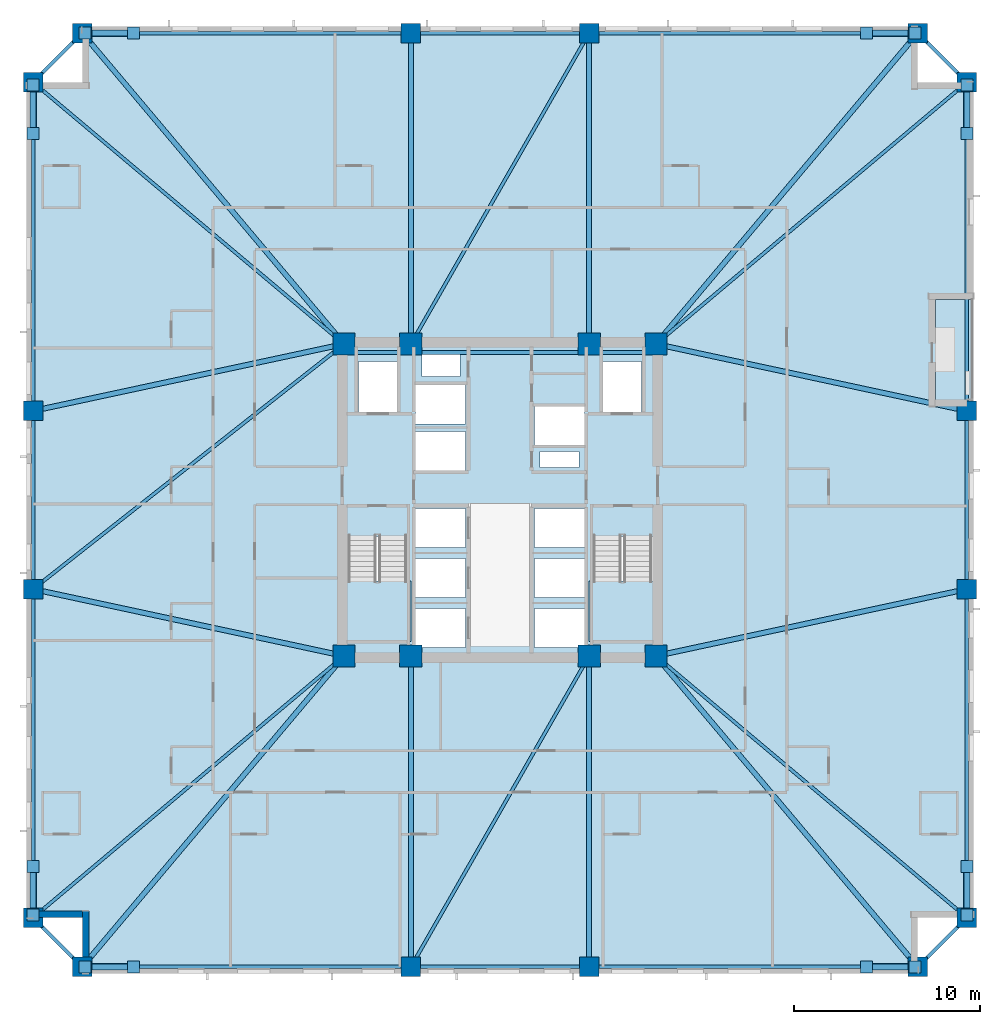
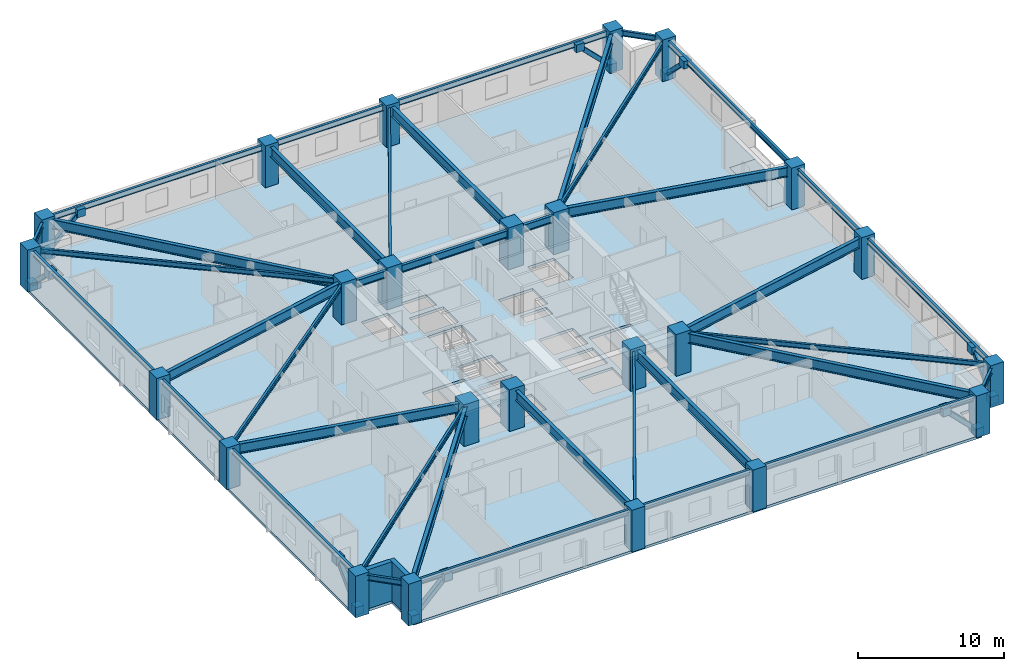
# One storey, part 1 of 11: 38 beams, 24 columns, 16 plates, 8 members, 4 slabs, 2 walls, 2 elements without a shape of their own.
"""IFC4 building model written with IfcOpenShell, lengths in metres."""

from ifc_helpers import new_model, si_unit, direction, frame, frame_2d, origin, origin_2d, place, context, subcontext, project, spatial, polyline, rectangle, hollow_rectangle, i_section, outline, extrude, material, layer, layer_set, material_profile, profile_set, type_object, element, aggregate, save


model = new_model("IFC4")

# Units and contexts
model_context = context("Model", 3, precision=1e-05, world=origin(), true_north=direction((0.0, 1.0)))
body_context = subcontext(model_context, "Body", "Model", "MODEL_VIEW")
ifc_project = project(units=[si_unit("LENGTHUNIT", "METRE"), si_unit("AREAUNIT", "SQUARE_METRE"), si_unit("VOLUMEUNIT", "CUBIC_METRE"), si_unit("PLANEANGLEUNIT", "RADIAN"), si_unit("MASSUNIT", "GRAM", prefix="KILO")], contexts=[model_context])

# Site, building, storey
site_placement = place(None, origin())
site = spatial("IfcSite", under=ifc_project, at=site_placement, CompositionType="ELEMENT")
building_placement = place(site_placement, origin())
building = spatial("IfcBuilding", under=site, at=building_placement, Name="Cairnveth Concourse Tower", CompositionType="ELEMENT")
storey_placement = place(building_placement, frame((0.0, 0.0, 76.0)))
storey = spatial("IfcBuildingStorey", under=building, at=storey_placement, Name="L20", CompositionType="ELEMENT", Elevation=76.0)

# Columns
ifc_material_1 = material(Name="Concrete N80 (80 MPa)", Category="concrete")
ifc_material_profile_1 = material_profile(ifc_material_1, rectangle(XDim=1.199951171875, YDim=1.199951171875, at=origin_2d()), Name="RC-COL-1200x1200")
ifc_profile_set_1 = profile_set([ifc_material_profile_1], Name="Concrete N80 (80 MPa)")
column_type_1 = type_object("IfcColumnType", Name="CORE COLUMN 1200X1200", PredefinedType="COLUMN", material=ifc_profile_set_1)
for number, where, z_axis, x_axis, name in (
    (1, (43.60009765625, 30.60009765625, 0.0), (0.0, 0.0, 1.0), (1.0, 0.0, 0.0), "Column CC1 L20"),
    (2, (47.199951171875, 30.60009765625, 0.0), (0.0, 0.0, 1.0), (1.0, 0.0, 0.0), "Column CC2 L20"),
    (3, (56.800048828125, 30.60009765625, 0.0), (0.0, 0.0, 1.0), (1.0, 0.0, 0.0), "Column CC3 L20"),
    (4, (60.39990234375, 30.60009765625, 0.0), (0.0, 0.0, 1.0), (1.0, 0.0, 0.0), "Column CC4 L20"),
    (5, (43.60009765625, 47.39990234375, 0.0), (0.0, 0.0, 1.0), (1.0, 0.0, 0.0), "Column CC5 L20"),
    (6, (47.199951171875, 47.39990234375, 0.0), (0.0, 0.0, 1.0), (1.0, 0.0, 0.0), "Column CC6 L20"),
    (7, (56.800048828125, 47.39990234375, 0.0), (0.0, 0.0, 1.0), (1.0, 0.0, 0.0), "Column CC7 L20"),
    (8, (60.39990234375, 47.39990234375, 0.0), (0.0, 0.0, 1.0), (1.0, 0.0, 0.0), "Column CC8 L20"),
):
    element("IfcColumn", number, at=place(storey_placement, frame(where, z_axis=z_axis, x_axis=x_axis)), inside=storey, type_object=column_type_1, Name=name, PredefinedType="COLUMN", context=body_context, shape_type="SweptSolid", body=[
        extrude(rectangle(XDim=1.199951171875, YDim=1.199951171875, at=origin_2d()), origin(), (0.0, 0.0, 1.0), 3.5),
    ])
ifc_material_2 = material(Name="Concrete N65 (65 MPa)", Category="concrete")
ifc_material_profile_2 = material_profile(ifc_material_2, rectangle(XDim=1.050048828125, YDim=1.050048828125, at=origin_2d()), Name="RC-COL-1050x1050")
ifc_profile_set_2 = profile_set([ifc_material_profile_2], Name="Concrete N65 (65 MPa)")
column_type_2 = type_object("IfcColumnType", Name="PERIMETER PIER COLUMN 1050X1050", PredefinedType="COLUMN", material=ifc_profile_set_2)
for number, where, z_axis, x_axis, name in (
    (9, (29.5, 13.85009765625, 0.0), (0.0, 0.0, 1.0), (1.0, 0.0, 0.0), "Column P-S1 L20"),
    (10, (47.199951171875, 13.85009765625, 0.0), (0.0, 0.0, 1.0), (1.0, 0.0, 0.0), "Column P-S2 L20"),
    (11, (56.800048828125, 13.85009765625, 0.0), (0.0, 0.0, 1.0), (1.0, 0.0, 0.0), "Column P-S3 L20"),
    (12, (74.5, 13.85009765625, 0.0), (0.0, 0.0, 1.0), (1.0, 0.0, 0.0), "Column P-S4 L20"),
    (13, (77.14990234375, 16.5, 0.0), (0.0, 0.0, 1.0), (0.0, 1.0, 0.0), "Column P-E1 L20"),
    (14, (77.14990234375, 34.199951171875, 0.0), (0.0, 0.0, 1.0), (0.0, 1.0, 0.0), "Column P-E2 L20"),
    (15, (77.14990234375, 43.800048828125, 0.0), (0.0, 0.0, 1.0), (0.0, 1.0, 0.0), "Column P-E3 L20"),
    (16, (77.14990234375, 61.5, 0.0), (0.0, 0.0, 1.0), (0.0, 1.0, 0.0), "Column P-E4 L20"),
    (17, (74.5, 64.14990234375, 0.0), (0.0, 0.0, 1.0), (1.0, 0.0, 0.0), "Column P-N1 L20"),
    (18, (56.800048828125, 64.14990234375, 0.0), (0.0, 0.0, 1.0), (1.0, 0.0, 0.0), "Column P-N2 L20"),
    (19, (47.199951171875, 64.14990234375, 0.0), (0.0, 0.0, 1.0), (1.0, 0.0, 0.0), "Column P-N3 L20"),
    (20, (29.5, 64.14990234375, 0.0), (0.0, 0.0, 1.0), (1.0, 0.0, 0.0), "Column P-N4 L20"),
    (21, (26.85009765625, 61.5, 0.0), (0.0, 0.0, 1.0), (0.0, 1.0, 0.0), "Column P-W1 L20"),
    (22, (26.85009765625, 43.800048828125, 0.0), (0.0, 0.0, 1.0), (0.0, 1.0, 0.0), "Column P-W2 L20"),
    (23, (26.85009765625, 34.199951171875, 0.0), (0.0, 0.0, 1.0), (0.0, 1.0, 0.0), "Column P-W3 L20"),
    (24, (26.85009765625, 16.5, 0.0), (0.0, 0.0, 1.0), (0.0, 1.0, 0.0), "Column P-W4 L20"),
):
    element("IfcColumn", number, at=place(storey_placement, frame(where, z_axis=z_axis, x_axis=x_axis)), inside=storey, type_object=column_type_2, Name=name, PredefinedType="COLUMN", context=body_context, shape_type="SweptSolid", body=[
        extrude(rectangle(XDim=1.050048828125, YDim=1.050048828125, at=origin_2d()), origin(), (0.0, 0.0, 1.0), 3.5),
    ])

# Beams
ifc_material_3 = material(Name="Steel Grade 350", Category="steel")
ifc_material_profile_3 = material_profile(ifc_material_3, i_section(OverallWidth=0.22802734375, OverallDepth=0.60693359375, WebThickness=0.01123046875, FlangeThickness=0.017333984375, FilletRadius=0.013916015625, at=origin_2d()), Name="610UB113")
ifc_profile_set_3 = profile_set([ifc_material_profile_3], Name="Steel Grade 350")
beam_type_1 = type_object("IfcBeamType", Name="CORE TIE BEAM 610UB113", PredefinedType="T_BEAM", material=ifc_profile_set_3)
for number, where, z_axis, x_axis, name in (
    (25, (43.60009765625, 46.949951171875, 2.9765625), (1.0, 0.0, 0.0), (0.0, 1.0, 0.0), "Beam CT-N1 L20"),
    (26, (56.800048828125, 46.949951171875, 2.9765625), (1.0, 0.0, 0.0), (0.0, 1.0, 0.0), "Beam CT-N3 L20"),
):
    element("IfcBeam", number, at=place(storey_placement, frame(where, z_axis=z_axis, x_axis=x_axis)), inside=storey, type_object=beam_type_1, Name=name, PredefinedType="T_BEAM", context=body_context, shape_type="SweptSolid", body=[
        extrude(i_section(OverallWidth=0.22802734375, OverallDepth=0.60693359375, WebThickness=0.01123046875, FlangeThickness=0.017333984375, FilletRadius=0.013916015625, at=origin_2d()), origin(), (0.0, 0.0, 1.0), 3.599853515625),
    ])
beam_1_placement = place(storey_placement, frame((47.199951171875, 46.949951171875, 2.9765625), z_axis=(1.0, 0.0, 0.0), x_axis=(0.0, 1.0, 0.0)))
element("IfcBeam", 27, at=beam_1_placement, inside=storey, type_object=beam_type_1, Name="Beam CT-N2 L20", PredefinedType="T_BEAM", context=body_context, shape_type="SweptSolid", body=[
    extrude(i_section(OverallWidth=0.22802734375, OverallDepth=0.60693359375, WebThickness=0.01123046875, FlangeThickness=0.017333984375, FilletRadius=0.013916015625, at=origin_2d()), origin(), (0.0, 0.0, 1.0), 9.60009765625),
])
ifc_material_profile_4 = material_profile(ifc_material_3, i_section(OverallWidth=0.177978515625, OverallDepth=0.406005859375, WebThickness=0.0078125, FlangeThickness=0.0126953125, FilletRadius=0.010986328125, at=origin_2d()), Name="410UB59.7")
ifc_profile_set_4 = profile_set([ifc_material_profile_4], Name="Steel Grade 350")
beam_type_2 = type_object("IfcBeamType", Name="ZONE 1 FLOOR JOIST 410UB59.7", PredefinedType="JOIST", material=ifc_profile_set_4)
for number, where, z_axis, x_axis, name in (
    (28, (26.85009765625, 16.5, 3.076904296875), (0.765027427674, 0.643997697905, 0.0), (-0.643997697905, 0.765027427674, 0.0), "Beam FJ-CSW2 L20"),
    (29, (77.14990234375, 16.5, 3.076904296875), (-0.765027427674, 0.643997697905, 0.0), (-0.643997697905, -0.765027427674, 0.0), "Beam FJ-CSE2 L20"),
    (30, (77.14990234375, 61.5, 3.076904296875), (-0.765027427674, -0.643997697905, 0.0), (0.643997697905, -0.765027427674, 0.0), "Beam FJ-CNE2 L20"),
    (31, (26.85009765625, 61.5, 3.076904296875), (0.765027427674, -0.643997697905, 0.0), (0.643997697905, 0.765027427674, 0.0), "Beam FJ-CNW2 L20"),
):
    element("IfcBeam", number, at=place(storey_placement, frame(where, z_axis=z_axis, x_axis=x_axis)), inside=storey, type_object=beam_type_2, Name=name, PredefinedType="JOIST", context=body_context, shape_type="SweptSolid", body=[
        extrude(i_section(OverallWidth=0.177978515625, OverallDepth=0.406005859375, WebThickness=0.0078125, FlangeThickness=0.0126953125, FilletRadius=0.010986328125, at=origin_2d()), origin(), (0.0, 0.0, 1.0), 21.89453125),
    ])
for number, where, z_axis, x_axis, name in (
    (32, (47.199951171875, 13.85009765625, 3.076904296875), (0.497257970706, 0.86760273776, 0.0), (-0.86760273776, 0.497257970706, 0.0), "Beam FJ-S-M1 L20"),
    (33, (47.199951171875, 47.39990234375, 3.076904296875), (0.497257970706, 0.86760273776, 0.0), (-0.86760273776, 0.497257970706, 0.0), "Beam FJ-N-M1 L20"),
):
    element("IfcBeam", number, at=place(storey_placement, frame(where, z_axis=z_axis, x_axis=x_axis)), inside=storey, type_object=beam_type_2, Name=name, PredefinedType="JOIST", context=body_context, shape_type="SweptSolid", body=[
        extrude(i_section(OverallWidth=0.177978515625, OverallDepth=0.406005859375, WebThickness=0.0078125, FlangeThickness=0.0126953125, FilletRadius=0.010986328125, at=origin_2d()), origin(), (0.0, 0.0, 1.0), 19.30615234375),
    ])
beam_2_placement = place(storey_placement, frame((26.85009765625, 34.199951171875, 3.076904296875), z_axis=(0.785423705995, 0.618958481694, 0.0), x_axis=(-0.618958481694, 0.785423705995, 0.0)))
element("IfcBeam", 34, at=beam_2_placement, inside=storey, type_object=beam_type_2, Name="Beam FJ-W-M1 L20", PredefinedType="JOIST", context=body_context, shape_type="SweptSolid", body=[
    extrude(i_section(OverallWidth=0.177978515625, OverallDepth=0.406005859375, WebThickness=0.0078125, FlangeThickness=0.0126953125, FilletRadius=0.010986328125, at=origin_2d()), origin(), (0.0, 0.0, 1.0), 21.326171875),
])

# Members
ifc_material_4 = material(Name="Steel C350L0 (350 MPa)", Category="steel")
ifc_material_profile_5 = material_profile(ifc_material_4, hollow_rectangle(XDim=0.35009765625, YDim=0.35009765625, WallThickness=0.01611328125, InnerFilletRadius=0.01611328125, OuterFilletRadius=0.031982421875, at=origin_2d()), Name="350x350x16.0SHS")
ifc_profile_set_5 = profile_set([ifc_material_profile_5], Name="Steel C350L0 (350 MPa)")
member_type = type_object("IfcMemberType", Name="ZONE 1 PIER BRACE 350X350X16SHS", PredefinedType="BRACE", material=ifc_profile_set_5)
for number, where, z_axis, x_axis, name in (
    (35, (29.64990234375, 13.85009765625, 0.25), (0.709834195787, 0.0, 0.704368805735), (0.0, 1.0, 0.0), "Structural Brace PB-S1 L20"),
    (36, (74.35009765625, 13.85009765625, 0.25), (-0.709834195787, 0.0, 0.704368805735), (0.0, -1.0, 0.0), "Structural Brace PB-S2 L20"),
    (37, (29.64990234375, 64.14990234375, 0.25), (0.709834195787, 0.0, 0.704368805735), (0.0, 1.0, 0.0), "Structural Brace PB-N1 L20"),
    (38, (74.35009765625, 64.14990234375, 0.25), (-0.709834195787, 0.0, 0.704368805735), (0.0, -1.0, 0.0), "Structural Brace PB-N2 L20"),
    (39, (26.85009765625, 16.64990234375, 0.25), (0.0, 0.709834195787, 0.704368805735), (-1.0, 0.0, 0.0), "Structural Brace PB-W1 L20"),
    (40, (26.85009765625, 61.35009765625, 0.25), (0.0, -0.709834195787, 0.704368805735), (1.0, 0.0, 0.0), "Structural Brace PB-W2 L20"),
    (41, (77.14990234375, 16.64990234375, 0.25), (0.0, 0.709834195787, 0.704368805735), (-1.0, 0.0, 0.0), "Structural Brace PB-E1 L20"),
    (42, (77.14990234375, 61.35009765625, 0.25), (0.0, -0.709834195787, 0.704368805735), (1.0, 0.0, 0.0), "Structural Brace PB-E2 L20"),
):
    element("IfcMember", number, at=place(storey_placement, frame(where, z_axis=z_axis, x_axis=x_axis)), inside=storey, type_object=member_type, Name=name, PredefinedType="BRACE", context=body_context, shape_type="SweptSolid", body=[
        extrude(hollow_rectangle(XDim=0.35009765625, YDim=0.35009765625, WallThickness=0.01611328125, InnerFilletRadius=0.01611328125, OuterFilletRadius=0.031982421875, at=origin_2d()), origin(), (0.0, 0.0, 1.0), 3.6630859375),
    ])

# Beams
ifc_material_profile_6 = material_profile(ifc_material_3, i_section(OverallWidth=0.27490234375, OverallDepth=0.81591796875, WebThickness=0.011962890625, FlangeThickness=0.028076171875, at=origin_2d()), Name="800WB192")
ifc_profile_set_6 = profile_set([ifc_material_profile_6], Name="Steel Grade 350")
beam_type_3 = type_object("IfcBeamType", Name="ZONE 1 RADIAL GIRDER 800WB192", PredefinedType="BEAM", material=ifc_profile_set_6)
for number, where, z_axis, x_axis, name in (
    (43, (47.199951171875, 13.85009765625, 2.8720703125), (0.0, 1.0, 0.0), (-1.0, 0.0, 0.0), "Beam RG-S1 L20"),
    (44, (56.800048828125, 13.85009765625, 2.8720703125), (0.0, 1.0, 0.0), (-1.0, 0.0, 0.0), "Beam RG-S2 L20"),
    (45, (47.199951171875, 47.39990234375, 2.8720703125), (0.0, 1.0, 0.0), (-1.0, 0.0, 0.0), "Beam RG-N1 L20"),
    (46, (56.800048828125, 47.39990234375, 2.8720703125), (0.0, 1.0, 0.0), (-1.0, 0.0, 0.0), "Beam RG-N2 L20"),
):
    element("IfcBeam", number, at=place(storey_placement, frame(where, z_axis=z_axis, x_axis=x_axis)), inside=storey, type_object=beam_type_3, Name=name, PredefinedType="BEAM", context=body_context, shape_type="SweptSolid", body=[
        extrude(i_section(OverallWidth=0.27490234375, OverallDepth=0.81591796875, WebThickness=0.011962890625, FlangeThickness=0.028076171875, at=origin_2d()), origin(), (0.0, 0.0, 1.0), 16.75),
    ])
for number, where, z_axis, x_axis, name in (
    (47, (26.85009765625, 34.199951171875, 2.8720703125), (0.977675861524, -0.210118799239, 0.0), (0.210118799239, 0.977675861524, 0.0), "Beam RG-W1 L20"),
    (48, (26.85009765625, 43.800048828125, 2.8720703125), (0.977675861524, 0.210118799239, 0.0), (-0.210118799239, 0.977675861524, 0.0), "Beam RG-W2 L20"),
    (49, (60.39990234375, 30.60009765625, 2.8720703125), (0.977675861524, 0.210118799239, 0.0), (-0.210118799239, 0.977675861524, 0.0), "Beam RG-E1 L20"),
    (50, (60.39990234375, 47.39990234375, 2.8720703125), (0.977675861524, -0.210118799239, 0.0), (0.210118799239, 0.977675861524, 0.0), "Beam RG-E2 L20"),
):
    element("IfcBeam", number, at=place(storey_placement, frame(where, z_axis=z_axis, x_axis=x_axis)), inside=storey, type_object=beam_type_3, Name=name, PredefinedType="BEAM", context=body_context, shape_type="SweptSolid", body=[
        extrude(i_section(OverallWidth=0.27490234375, OverallDepth=0.81591796875, WebThickness=0.011962890625, FlangeThickness=0.028076171875, at=origin_2d()), origin(), (0.0, 0.0, 1.0), 17.132568359375),
    ])
for number, where, z_axis, x_axis, name in (
    (51, (29.5, 13.85009765625, 2.8720703125), (0.643997697905, 0.765027427674, 0.0), (-0.765027427674, 0.643997697905, 0.0), "Beam RG-CSW L20"),
    (52, (74.5, 13.85009765625, 2.8720703125), (-0.643997697905, 0.765027427674, 0.0), (-0.765027427674, -0.643997697905, 0.0), "Beam RG-CSE L20"),
    (53, (74.5, 64.14990234375, 2.8720703125), (-0.643997697905, -0.765027427674, 0.0), (0.765027427674, -0.643997697905, 0.0), "Beam RG-CNE L20"),
    (54, (29.5, 64.14990234375, 2.8720703125), (0.643997697905, -0.765027427674, 0.0), (0.765027427674, 0.643997697905, 0.0), "Beam RG-CNW L20"),
):
    element("IfcBeam", number, at=place(storey_placement, frame(where, z_axis=z_axis, x_axis=x_axis)), inside=storey, type_object=beam_type_3, Name=name, PredefinedType="BEAM", context=body_context, shape_type="SweptSolid", body=[
        extrude(i_section(OverallWidth=0.27490234375, OverallDepth=0.81591796875, WebThickness=0.011962890625, FlangeThickness=0.028076171875, at=origin_2d()), origin(), (0.0, 0.0, 1.0), 21.89453125),
    ])
ifc_material_profile_7 = material_profile(ifc_material_3, i_section(OverallWidth=0.19091796875, OverallDepth=0.4599609375, WebThickness=0.010009765625, FlangeThickness=0.01611328125, FilletRadius=0.010986328125, at=origin_2d()), Name="460UB82.1")
ifc_profile_set_7 = profile_set([ifc_material_profile_7], Name="Steel Grade 350")
beam_type_4 = type_object("IfcBeamType", Name="ZONE 1 SPANDREL BEAM 460UB82.1", PredefinedType="SPANDREL", material=ifc_profile_set_7)
beam_3_placement = place(storey_placement, frame((29.5, 13.85009765625, 3.050048828125), z_axis=(1.0, 0.0, 0.0), x_axis=(0.0, 1.0, 0.0)))
element("IfcBeam", 55, at=beam_3_placement, inside=storey, type_object=beam_type_4, Name="Beam SP-S1 L20", PredefinedType="SPANDREL", context=body_context, shape_type="SweptSolid", body=[
    extrude(i_section(OverallWidth=0.19091796875, OverallDepth=0.4599609375, WebThickness=0.010009765625, FlangeThickness=0.01611328125, FilletRadius=0.010986328125, at=origin_2d()), origin(), (0.0, 0.0, 1.0), 17.699951171875),
])
beam_4_placement = place(storey_placement, frame((47.199951171875, 13.85009765625, 3.050048828125), z_axis=(1.0, 0.0, 0.0), x_axis=(0.0, 1.0, 0.0)))
element("IfcBeam", 56, at=beam_4_placement, inside=storey, type_object=beam_type_4, Name="Beam SP-S2 L20", PredefinedType="SPANDREL", context=body_context, shape_type="SweptSolid", body=[
    extrude(i_section(OverallWidth=0.19091796875, OverallDepth=0.4599609375, WebThickness=0.010009765625, FlangeThickness=0.01611328125, FilletRadius=0.010986328125, at=origin_2d()), origin(), (0.0, 0.0, 1.0), 9.60009765625),
])
for number, where, z_axis, x_axis, name in (
    (57, (56.800048828125, 13.85009765625, 3.050048828125), (1.0, 0.0, 0.0), (0.0, 1.0, 0.0), "Beam SP-S3 L20"),
    (58, (29.5, 64.14990234375, 3.050048828125), (1.0, 0.0, 0.0), (0.0, 1.0, 0.0), "Beam SP-N1 L20"),
):
    element("IfcBeam", number, at=place(storey_placement, frame(where, z_axis=z_axis, x_axis=x_axis)), inside=storey, type_object=beam_type_4, Name=name, PredefinedType="SPANDREL", context=body_context, shape_type="SweptSolid", body=[
        extrude(i_section(OverallWidth=0.19091796875, OverallDepth=0.4599609375, WebThickness=0.010009765625, FlangeThickness=0.01611328125, FilletRadius=0.010986328125, at=origin_2d()), origin(), (0.0, 0.0, 1.0), 17.699951171875),
    ])
beam_5_placement = place(storey_placement, frame((47.199951171875, 64.14990234375, 3.050048828125), z_axis=(1.0, 0.0, 0.0), x_axis=(0.0, 1.0, 0.0)))
element("IfcBeam", 59, at=beam_5_placement, inside=storey, type_object=beam_type_4, Name="Beam SP-N2 L20", PredefinedType="SPANDREL", context=body_context, shape_type="SweptSolid", body=[
    extrude(i_section(OverallWidth=0.19091796875, OverallDepth=0.4599609375, WebThickness=0.010009765625, FlangeThickness=0.01611328125, FilletRadius=0.010986328125, at=origin_2d()), origin(), (0.0, 0.0, 1.0), 9.60009765625),
])
for number, where, z_axis, x_axis, name in (
    (60, (56.800048828125, 64.14990234375, 3.050048828125), (1.0, 0.0, 0.0), (0.0, 1.0, 0.0), "Beam SP-N3 L20"),
    (61, (26.85009765625, 16.5, 3.050048828125), (0.0, 1.0, 0.0), (-1.0, 0.0, 0.0), "Beam SP-W1 L20"),
):
    element("IfcBeam", number, at=place(storey_placement, frame(where, z_axis=z_axis, x_axis=x_axis)), inside=storey, type_object=beam_type_4, Name=name, PredefinedType="SPANDREL", context=body_context, shape_type="SweptSolid", body=[
        extrude(i_section(OverallWidth=0.19091796875, OverallDepth=0.4599609375, WebThickness=0.010009765625, FlangeThickness=0.01611328125, FilletRadius=0.010986328125, at=origin_2d()), origin(), (0.0, 0.0, 1.0), 17.699951171875),
    ])
beam_6_placement = place(storey_placement, frame((26.85009765625, 34.199951171875, 3.050048828125), z_axis=(0.0, 1.0, 0.0), x_axis=(-1.0, 0.0, 0.0)))
element("IfcBeam", 62, at=beam_6_placement, inside=storey, type_object=beam_type_4, Name="Beam SP-W2 L20", PredefinedType="SPANDREL", context=body_context, shape_type="SweptSolid", body=[
    extrude(i_section(OverallWidth=0.19091796875, OverallDepth=0.4599609375, WebThickness=0.010009765625, FlangeThickness=0.01611328125, FilletRadius=0.010986328125, at=origin_2d()), origin(), (0.0, 0.0, 1.0), 9.60009765625),
])
for number, where, z_axis, x_axis, name in (
    (63, (26.85009765625, 43.800048828125, 3.050048828125), (0.0, 1.0, 0.0), (-1.0, 0.0, 0.0), "Beam SP-W3 L20"),
    (64, (77.14990234375, 16.5, 3.050048828125), (0.0, 1.0, 0.0), (-1.0, 0.0, 0.0), "Beam SP-E1 L20"),
):
    element("IfcBeam", number, at=place(storey_placement, frame(where, z_axis=z_axis, x_axis=x_axis)), inside=storey, type_object=beam_type_4, Name=name, PredefinedType="SPANDREL", context=body_context, shape_type="SweptSolid", body=[
        extrude(i_section(OverallWidth=0.19091796875, OverallDepth=0.4599609375, WebThickness=0.010009765625, FlangeThickness=0.01611328125, FilletRadius=0.010986328125, at=origin_2d()), origin(), (0.0, 0.0, 1.0), 17.699951171875),
    ])
beam_7_placement = place(storey_placement, frame((77.14990234375, 34.199951171875, 3.050048828125), z_axis=(0.0, 1.0, 0.0), x_axis=(-1.0, 0.0, 0.0)))
element("IfcBeam", 65, at=beam_7_placement, inside=storey, type_object=beam_type_4, Name="Beam SP-E2 L20", PredefinedType="SPANDREL", context=body_context, shape_type="SweptSolid", body=[
    extrude(i_section(OverallWidth=0.19091796875, OverallDepth=0.4599609375, WebThickness=0.010009765625, FlangeThickness=0.01611328125, FilletRadius=0.010986328125, at=origin_2d()), origin(), (0.0, 0.0, 1.0), 9.60009765625),
])
beam_8_placement = place(storey_placement, frame((77.14990234375, 43.800048828125, 3.050048828125), z_axis=(0.0, 1.0, 0.0), x_axis=(-1.0, 0.0, 0.0)))
element("IfcBeam", 66, at=beam_8_placement, inside=storey, type_object=beam_type_4, Name="Beam SP-E3 L20", PredefinedType="SPANDREL", context=body_context, shape_type="SweptSolid", body=[
    extrude(i_section(OverallWidth=0.19091796875, OverallDepth=0.4599609375, WebThickness=0.010009765625, FlangeThickness=0.01611328125, FilletRadius=0.010986328125, at=origin_2d()), origin(), (0.0, 0.0, 1.0), 17.699951171875),
])
for number, where, z_axis, x_axis, name in (
    (67, (26.85009765625, 16.5, 3.050048828125), (0.707106781187, -0.707106781187, 0.0), (0.707106781187, 0.707106781187, 0.0), "Beam SP-SW L20"),
    (68, (74.5, 13.85009765625, 3.050048828125), (0.707106781187, 0.707106781187, 0.0), (-0.707106781187, 0.707106781187, 0.0), "Beam SP-SE L20"),
    (69, (74.5, 64.14990234375, 3.050048828125), (0.707106781187, -0.707106781187, 0.0), (0.707106781187, 0.707106781187, 0.0), "Beam SP-NE L20"),
    (70, (26.85009765625, 61.5, 3.050048828125), (0.707106781187, 0.707106781187, 0.0), (-0.707106781187, 0.707106781187, 0.0), "Beam SP-NW L20"),
):
    element("IfcBeam", number, at=place(storey_placement, frame(where, z_axis=z_axis, x_axis=x_axis)), inside=storey, type_object=beam_type_4, Name=name, PredefinedType="SPANDREL", context=body_context, shape_type="SweptSolid", body=[
        extrude(i_section(OverallWidth=0.19091796875, OverallDepth=0.4599609375, WebThickness=0.010009765625, FlangeThickness=0.01611328125, FilletRadius=0.010986328125, at=origin_2d()), origin(), (0.0, 0.0, 1.0), 3.74755859375),
    ])

# Slab
ifc_material_5 = material(Name="Concrete N50 (50 MPa)", Category="concrete")
ifc_layer_1 = layer(ifc_material_5, 0.219970703125)
ifc_layer_set_1 = layer_set([ifc_layer_1], Name="Concrete N50 (50 MPa)")
slab_type_1 = type_object("IfcSlabType", Name="LOWER TOWER COMPOSITE SLAB 220", PredefinedType="FLOOR", material=ifc_layer_set_1)
slab_1_placement = place(storey_placement, frame((0.0, 0.0, -0.219970703125)))
element("IfcSlab", 71, at=slab_1_placement, inside=storey, type_object=slab_type_1, Name="Tower Floor Slab L20", PredefinedType="FLOOR", context=body_context, shape_type="SweptSolid", body=[
    extrude(outline(polyline([(77.5, 44.39990234375), (75.449951171875, 44.39990234375), (75.449951171875, 49.800048828125), (77.5, 49.800048828125), (77.5, 61.5), (74.5, 61.5), (74.5, 64.5), (29.5, 64.5), (29.5, 61.5), (26.5, 61.5), (26.5, 16.5), (29.5, 16.5), (29.5, 13.5), (74.5, 13.5), (74.5, 16.5), (77.5, 16.5), (77.5, 44.39990234375)]), holes=[polyline([(43.760009765625, 31.360107421875), (47.06005859375, 31.360107421875), (47.06005859375, 37.0400390625), (43.760009765625, 37.0400390625), (43.760009765625, 31.360107421875)]), polyline([(56.93994140625, 31.360107421875), (60.239990234375, 31.360107421875), (60.239990234375, 37.0400390625), (56.93994140625, 37.0400390625), (56.93994140625, 31.360107421875)]), polyline([(44.3701171875, 43.75), (46.469970703125, 43.75), (46.469970703125, 46.449951171875), (44.3701171875, 46.449951171875), (44.3701171875, 43.75)]), polyline([(57.530029296875, 43.75), (59.6298828125, 43.75), (59.6298828125, 46.449951171875), (57.530029296875, 46.449951171875), (57.530029296875, 43.75)]), polyline([(47.449951171875, 31.050048828125), (50.14990234375, 31.050048828125), (50.14990234375, 33.14990234375), (47.449951171875, 33.14990234375), (47.449951171875, 31.050048828125)]), polyline([(47.449951171875, 33.75), (50.14990234375, 33.75), (50.14990234375, 35.85009765625), (47.449951171875, 35.85009765625), (47.449951171875, 33.75)]), polyline([(47.449951171875, 36.449951171875), (50.14990234375, 36.449951171875), (50.14990234375, 38.550048828125), (47.449951171875, 38.550048828125), (47.449951171875, 36.449951171875)]), polyline([(53.85009765625, 31.050048828125), (56.550048828125, 31.050048828125), (56.550048828125, 33.14990234375), (53.85009765625, 33.14990234375), (53.85009765625, 31.050048828125)]), polyline([(53.85009765625, 33.75), (56.550048828125, 33.75), (56.550048828125, 35.85009765625), (53.85009765625, 35.85009765625), (53.85009765625, 33.75)]), polyline([(53.85009765625, 36.449951171875), (56.550048828125, 36.449951171875), (56.550048828125, 38.550048828125), (53.85009765625, 38.550048828125), (53.85009765625, 36.449951171875)]), polyline([(47.449951171875, 40.60009765625), (50.14990234375, 40.60009765625), (50.14990234375, 42.699951171875), (47.449951171875, 42.699951171875), (47.449951171875, 40.60009765625)]), polyline([(47.449951171875, 43.10009765625), (50.14990234375, 43.10009765625), (50.14990234375, 45.199951171875), (47.449951171875, 45.199951171875), (47.449951171875, 43.10009765625)]), polyline([(53.85009765625, 41.949951171875), (56.550048828125, 41.949951171875), (56.550048828125, 44.050048828125), (53.85009765625, 44.050048828125), (53.85009765625, 41.949951171875)]), polyline([(47.800048828125, 45.64990234375), (49.85009765625, 45.64990234375), (49.85009765625, 47.050048828125), (47.800048828125, 47.050048828125), (47.800048828125, 45.64990234375)]), polyline([(54.14990234375, 40.75), (56.25, 40.75), (56.25, 41.6201171875), (54.14990234375, 41.6201171875), (54.14990234375, 40.75)])]), origin(), (0.0, 0.0, 1.0), 0.219970703125),
])

# Plates
ifc_layer_2 = layer(ifc_material_3, 0.031982421875)
ifc_layer_set_2 = layer_set([ifc_layer_2], Name="Steel Grade 350")
plate_type = type_object("IfcPlateType", Name="PERIMETER BRACE GUSSET PLATE 32", PredefinedType="USERDEFINED", material=ifc_layer_set_2)
for number, where, z_axis, x_axis, name in (
    (72, (29.64990234375, 13.85009765625, -0.06982421875), (0.0, 0.0, 1.0), (1.0, 0.0, 0.0), "Structural Node Plate 0301 L20"),
    (73, (32.25, 13.85009765625, 2.51025390625), (0.0, 0.0, 1.0), (1.0, 0.0, 0.0), "Structural Node Plate 0302 L20"),
    (74, (74.35009765625, 13.85009765625, -0.06982421875), (0.0, 0.0, 1.0), (1.0, 0.0, 0.0), "Structural Node Plate 0303 L20"),
    (75, (71.75, 13.85009765625, 2.51025390625), (0.0, 0.0, 1.0), (1.0, 0.0, 0.0), "Structural Node Plate 0304 L20"),
    (76, (29.64990234375, 64.14990234375, -0.06982421875), (0.0, 0.0, 1.0), (1.0, 0.0, 0.0), "Structural Node Plate 0305 L20"),
    (77, (32.25, 64.14990234375, 2.51025390625), (0.0, 0.0, 1.0), (1.0, 0.0, 0.0), "Structural Node Plate 0306 L20"),
    (78, (74.35009765625, 64.14990234375, -0.06982421875), (0.0, 0.0, 1.0), (1.0, 0.0, 0.0), "Structural Node Plate 0307 L20"),
    (79, (71.75, 64.14990234375, 2.51025390625), (0.0, 0.0, 1.0), (1.0, 0.0, 0.0), "Structural Node Plate 0308 L20"),
    (80, (26.85009765625, 16.64990234375, -0.06982421875), (0.0, 0.0, 1.0), (1.0, 0.0, 0.0), "Structural Node Plate 0309 L20"),
    (81, (26.85009765625, 19.25, 2.51025390625), (0.0, 0.0, 1.0), (1.0, 0.0, 0.0), "Structural Node Plate 0310 L20"),
    (82, (26.85009765625, 61.35009765625, -0.06982421875), (0.0, 0.0, 1.0), (1.0, 0.0, 0.0), "Structural Node Plate 0311 L20"),
    (83, (26.85009765625, 58.75, 2.51025390625), (0.0, 0.0, 1.0), (1.0, 0.0, 0.0), "Structural Node Plate 0312 L20"),
    (84, (77.14990234375, 16.64990234375, -0.06982421875), (0.0, 0.0, 1.0), (1.0, 0.0, 0.0), "Structural Node Plate 0313 L20"),
    (85, (77.14990234375, 19.25, 2.51025390625), (0.0, 0.0, 1.0), (1.0, 0.0, 0.0), "Structural Node Plate 0314 L20"),
    (86, (77.14990234375, 61.35009765625, -0.06982421875), (0.0, 0.0, 1.0), (1.0, 0.0, 0.0), "Structural Node Plate 0315 L20"),
    (87, (77.14990234375, 58.75, 2.51025390625), (0.0, 0.0, 1.0), (1.0, 0.0, 0.0), "Structural Node Plate 0316 L20"),
):
    element("IfcPlate", number, at=place(storey_placement, frame(where, z_axis=z_axis, x_axis=x_axis)), inside=storey, type_object=plate_type, Name=name, ObjectType="GUSSET PLATE", PredefinedType="USERDEFINED", context=body_context, shape_type="SweptSolid", body=[
        extrude(rectangle(XDim=0.639892578125, YDim=0.639892578125, at=origin_2d()), origin(), (0.0, 0.0, 1.0), 0.639892578125),
    ])

# Slab
ifc_layer_3 = layer(ifc_material_5, 0.18994140625)
ifc_layer_set_3 = layer_set([ifc_layer_3], Name="Concrete N50 (50 MPa)")
slab_type_2 = type_object("IfcSlabType", Name="SPIRAL OUTDOOR TERRACE SLAB 190", PredefinedType="FLOOR", material=ifc_layer_set_3)
slab_2_placement = place(storey_placement, frame((0.0, 0.0, -0.18994140625)))
element("IfcSlab", 88, at=slab_2_placement, inside=storey, type_object=slab_type_2, Name="Spiral Terrace Slab L20", PredefinedType="FLOOR", context=body_context, shape_type="SweptSolid", body=[
    extrude(outline(polyline([(75.449951171875, 44.39990234375), (77.5, 44.39990234375), (77.5, 49.800048828125), (75.449951171875, 49.800048828125), (75.449951171875, 44.39990234375)])), origin(), (0.0, 0.0, 1.0), 0.18994140625),
])

# Stair, slab
ifc_material_6 = material(Name="Precast concrete N50 (50 MPa)", Category="concrete")
stair_type = type_object("IfcStairType", Name="CORE DOG-LEG FIRE STAIR 1500", PredefinedType="HALF_TURN_STAIR", material=ifc_material_6)
stair_1_placement = place(storey_placement, origin())
stair_1 = element("IfcStair", 89, at=stair_1_placement, inside=storey, type_object=stair_type, Name="L20 Fire-Isolated Stair ST-1", PredefinedType="HALF_TURN_STAIR")
ifc_layer_4 = layer(ifc_material_5, 0.199951171875)
ifc_layer_set_4 = layer_set([ifc_layer_4], Name="Concrete N50 (50 MPa)")
slab_type_3 = type_object("IfcSlabType", Name="STAIR HALF LANDING SLAB 200", PredefinedType="LANDING", material=ifc_layer_set_4)
slab_3_placement = place(storey_placement, frame((0.0, 0.0, 1.550048828125)))
slab_3 = element("IfcSlab", 90, at=slab_3_placement, type_object=slab_type_3, Name="ST-1 landing 1", PredefinedType="LANDING", context=body_context, shape_type="SweptSolid", body=[
    extrude(outline(polyline([(43.6201171875, 34.639892578125), (43.6201171875, 31.3701171875), (47.199951171875, 31.3701171875), (47.199951171875, 34.639892578125), (43.6201171875, 34.639892578125)])), origin(), (0.0, 0.0, 1.0), 0.199951171875),
])
aggregate(stair_1, [slab_3])

stair_2_placement = place(storey_placement, origin())
stair_2 = element("IfcStair", 91, at=stair_2_placement, inside=storey, type_object=stair_type, Name="L20 Fire-Isolated Stair ST-2", PredefinedType="HALF_TURN_STAIR")
slab_4_placement = place(storey_placement, frame((0.0, 0.0, 1.550048828125)))
slab_4 = element("IfcSlab", 92, at=slab_4_placement, type_object=slab_type_3, Name="ST-2 landing 1", PredefinedType="LANDING", context=body_context, shape_type="SweptSolid", body=[
    extrude(outline(polyline([(56.800048828125, 34.639892578125), (56.800048828125, 31.3701171875), (60.3798828125, 31.3701171875), (60.3798828125, 34.639892578125), (56.800048828125, 34.639892578125)])), origin(), (0.0, 0.0, 1.0), 0.199951171875),
])
aggregate(stair_2, [slab_4])

# Walls
ifc_material_7 = material(Name="Hawthorn Red-Ochre Fired Clay Brick Masonry", Category="masonry")
ifc_layer_5 = layer(ifc_material_7, 0.360107421875)
ifc_layer_set_5 = layer_set([ifc_layer_5], Name="Hawthorn Red-Ochre Fired Clay Brick Masonry")
wall_type = type_object("IfcWallType", Name="ZONE 1 BRICK PIER SPANDREL WALL 360", PredefinedType="SOLIDWALL", material=ifc_layer_set_5)
wall_1_placement = place(storey_placement, frame((29.679931640625, 13.5, 0.0), z_axis=(0.0, 0.0, 1.0), x_axis=(0.0, 1.0, 0.0)))
element("IfcWall", 93, at=wall_1_placement, inside=storey, type_object=wall_type, Name="Exterior Wall EW-L20-S04", PredefinedType="SOLIDWALL", context=body_context, shape_type="SweptSolid", body=[
    extrude(rectangle(XDim=3.360107421875, YDim=0.360107421875, at=frame_2d((1.68017578125, 0.0))), origin(), (0.0, 0.0, 1.0), 3.280029296875),
])
wall_2_placement = place(storey_placement, frame((29.52197265625, 16.679931640625, 0.0), z_axis=(0.0, 0.0, 1.0), x_axis=(-1.0, 0.0, 0.0)))
element("IfcWall", 94, at=wall_2_placement, inside=storey, type_object=wall_type, Name="Exterior Wall EW-L20-S05", PredefinedType="SOLIDWALL", context=body_context, shape_type="SweptSolid", body=[
    extrude(rectangle(XDim=2.68408203125, YDim=0.360107421875, at=frame_2d((1.342041015625, 0.0))), origin(), (0.0, 0.0, 1.0), 3.280029296875),
])

save(model, "model.ifc")
